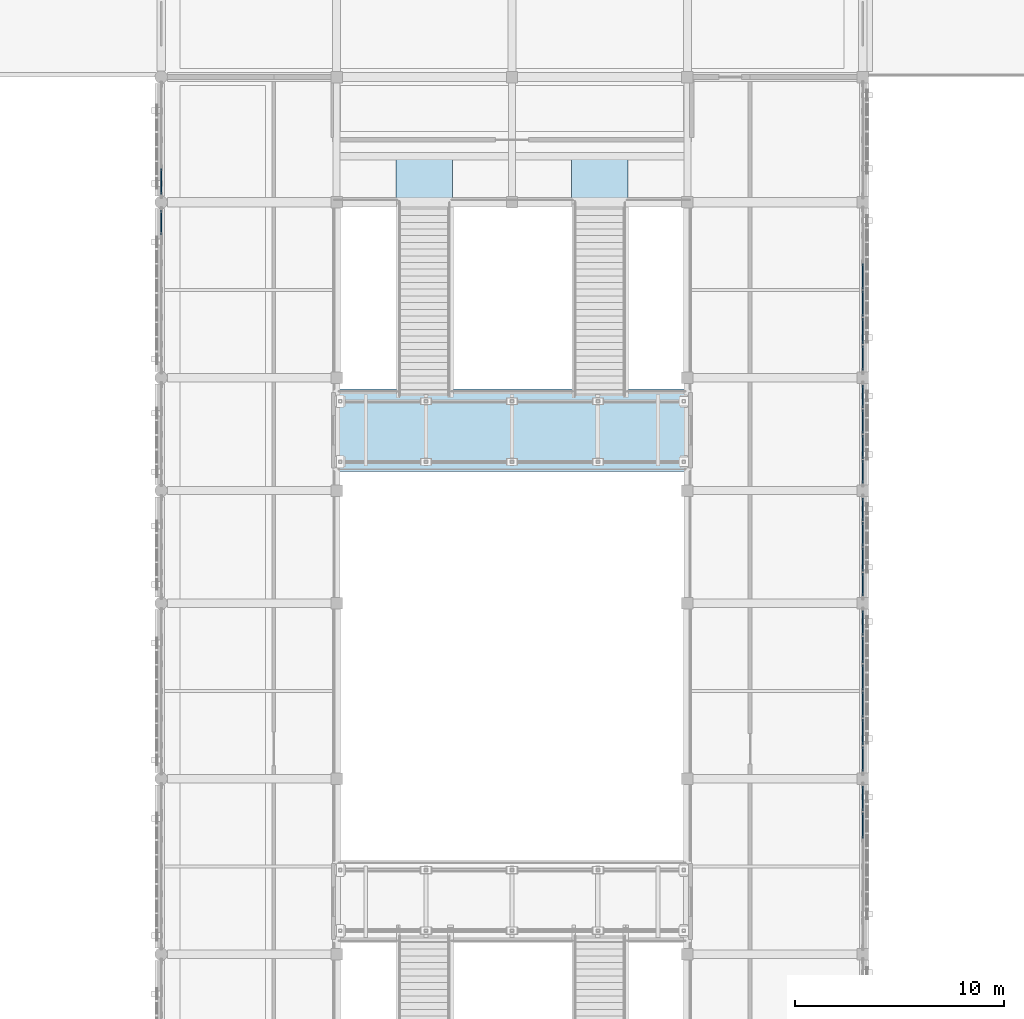
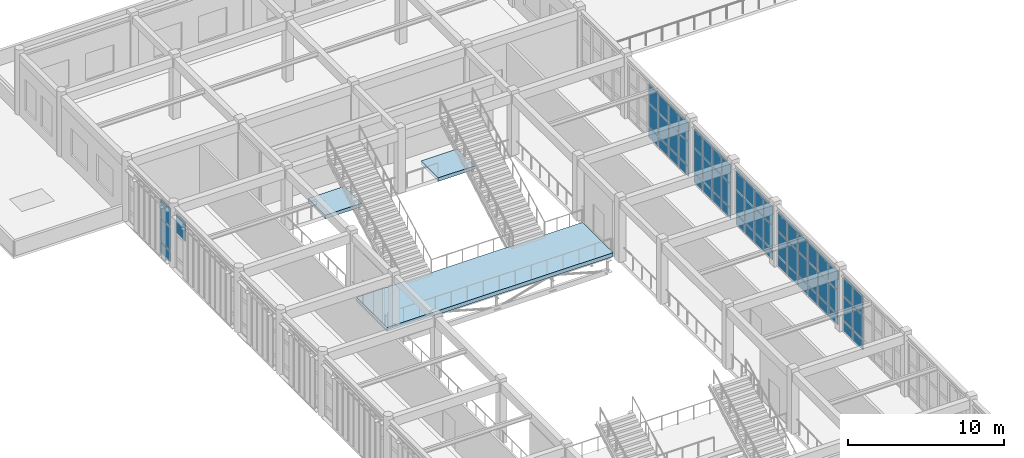
# One storey, part 60 of 93: 64 plates, 3 slabs, 7 elements without a shape of their own.
"""IFC4 building model written with IfcOpenShell, lengths in metres."""

from ifc_helpers import new_model, si_unit, direction, frame, origin, origin_2d, place, context, subcontext, project, spatial, polyline, rectangle, outline, extrude, material, layer, layer_set, type_object, element, aggregate, save


model = new_model("IFC4")

# Units and contexts
model_context = context("Model", 3, precision=1e-05, world=origin(), true_north=direction((0.0, 1.0)))
body_context = subcontext(model_context, "Body", "Model", "MODEL_VIEW")
ifc_project = project(units=[si_unit("LENGTHUNIT", "METRE"), si_unit("AREAUNIT", "SQUARE_METRE"), si_unit("VOLUMEUNIT", "CUBIC_METRE"), si_unit("PLANEANGLEUNIT", "RADIAN"), si_unit("MASSUNIT", "GRAM", prefix="KILO")], contexts=[model_context])

# Site, building, storey
site_placement = place(None, origin())
site = spatial("IfcSite", under=ifc_project, at=site_placement, CompositionType="ELEMENT")
building_placement = place(site_placement, origin())
building = spatial("IfcBuilding", under=site, at=building_placement, Name="Krzemoval Escarpment Law Courts", CompositionType="ELEMENT")
storey_placement = place(building_placement, frame((0.0, 0.0, 10.199951171875)))
storey = spatial("IfcBuildingStorey", under=building, at=storey_placement, Name="L02", CompositionType="ELEMENT", Elevation=10.199951171875)

# Curtain wall, plate
ifc_material_1 = material(Name="Aluminium 6063-T6", Category="aluminium")
ifc_layer_1 = layer(ifc_material_1, 0.280029296875)
ifc_layer_set_1 = layer_set([ifc_layer_1], Name="Aluminium 6063-T6")
curtain_wall_type = type_object("IfcCurtainWallType", Name="CW-HALL-5100", PredefinedType="USERDEFINED", material=ifc_layer_set_1)
curtain_wall_1_placement = place(storey_placement, origin())
curtain_wall_1 = element("IfcCurtainWall", 1, at=curtain_wall_1_placement, inside=storey, type_object=curtain_wall_type, Name="Unitised Curtain Wall FCW-L02-071", ObjectType="UNITISED_CURTAIN_WALL", PredefinedType="USERDEFINED")
ifc_material_2 = material(Name="Triple Glazing IGU", Category="glass")
ifc_layer_2 = layer(ifc_material_2, 0.053955078125)
ifc_layer_set_2 = layer_set([ifc_layer_2], Name="Triple Glazing IGU")
plate_type = type_object("IfcPlateType", Name="CWP-GLZ-54", PredefinedType="CURTAIN_PANEL", material=ifc_layer_set_2)
plate_1_placement = place(storey_placement, frame((8.39990234375, 92.628662109375, 2.842529296875), z_axis=(0.0, 0.0, 1.0), x_axis=(0.0, 1.0, 0.0)))
plate_1 = element("IfcPlate", 2, at=plate_1_placement, type_object=plate_type, Name="FCW-L02-071 panel 6.3", PredefinedType="CURTAIN_PANEL", context=body_context, shape_type="SweptSolid", body=[
    extrude(rectangle(XDim=1.172607421875, YDim=0.053955078125, at=origin_2d()), origin(), (0.0, 0.0, 1.0), 1.4423828125),
])
aggregate(curtain_wall_1, [plate_1])

# Curtain wall, plates
curtain_wall_2_placement = place(storey_placement, origin())
curtain_wall_2 = element("IfcCurtainWall", 3, at=curtain_wall_2_placement, inside=storey, type_object=curtain_wall_type, Name="Unitised Curtain Wall FCW-L02-072", ObjectType="UNITISED_CURTAIN_WALL", PredefinedType="USERDEFINED")
plate_2_placement = place(storey_placement, frame((8.39990234375, 94.59619140625, 0.0849609375), z_axis=(0.0, 0.0, 1.0), x_axis=(0.0, 1.0, 0.0)))
plate_2 = element("IfcPlate", 4, at=plate_2_placement, type_object=plate_type, Name="FCW-L02-072 panel 1.1", PredefinedType="CURTAIN_PANEL", context=body_context, shape_type="SweptSolid", body=[
    extrude(rectangle(XDim=1.222412109375, YDim=0.053955078125, at=origin_2d()), origin(), (0.0, 0.0, 1.0), 0.7724609375),
])
plate_3_placement = place(storey_placement, frame((8.39990234375, 94.59619140625, 0.942626953125), z_axis=(0.0, 0.0, 1.0), x_axis=(0.0, 1.0, 0.0)))
plate_3 = element("IfcPlate", 5, at=plate_3_placement, type_object=plate_type, Name="FCW-L02-072 panel 1.2", PredefinedType="CURTAIN_PANEL", context=body_context, shape_type="SweptSolid", body=[
    extrude(rectangle(XDim=1.222412109375, YDim=0.053955078125, at=origin_2d()), origin(), (0.0, 0.0, 1.0), 1.81494140625),
])
plate_4_placement = place(storey_placement, frame((8.39990234375, 94.59619140625, 2.842529296875), z_axis=(0.0, 0.0, 1.0), x_axis=(0.0, 1.0, 0.0)))
plate_4 = element("IfcPlate", 6, at=plate_4_placement, type_object=plate_type, Name="FCW-L02-072 panel 1.3", PredefinedType="CURTAIN_PANEL", context=body_context, shape_type="SweptSolid", body=[
    extrude(rectangle(XDim=1.222412109375, YDim=0.053955078125, at=origin_2d()), origin(), (0.0, 0.0, 1.0), 1.4423828125),
])
aggregate(curtain_wall_2, [plate_2, plate_3, plate_4])

curtain_wall_3_placement = place(storey_placement, origin())
curtain_wall_3 = element("IfcCurtainWall", 7, at=curtain_wall_3_placement, inside=storey, type_object=curtain_wall_type, Name="Unitised Curtain Wall FCW-L02-074", ObjectType="UNITISED_CURTAIN_WALL", PredefinedType="USERDEFINED")
plate_5_placement = place(storey_placement, frame((42.0, 90.05419921875, 0.0849609375), z_axis=(0.0, 0.0, 1.0), x_axis=(0.0, -1.0, 0.0)))
plate_5 = element("IfcPlate", 8, at=plate_5_placement, type_object=plate_type, Name="FCW-L02-074 panel 3.1", PredefinedType="CURTAIN_PANEL", context=body_context, shape_type="SweptSolid", body=[
    extrude(rectangle(XDim=1.223388671875, YDim=0.053955078125, at=origin_2d()), origin(), (0.0, 0.0, 1.0), 0.7724609375),
])
plate_6_placement = place(storey_placement, frame((42.0, 90.05419921875, 0.942626953125), z_axis=(0.0, 0.0, 1.0), x_axis=(0.0, -1.0, 0.0)))
plate_6 = element("IfcPlate", 9, at=plate_6_placement, type_object=plate_type, Name="FCW-L02-074 panel 3.2", PredefinedType="CURTAIN_PANEL", context=body_context, shape_type="SweptSolid", body=[
    extrude(rectangle(XDim=1.223388671875, YDim=0.053955078125, at=origin_2d()), origin(), (0.0, 0.0, 1.0), 1.81494140625),
])
plate_7_placement = place(storey_placement, frame((42.0, 90.05419921875, 2.842529296875), z_axis=(0.0, 0.0, 1.0), x_axis=(0.0, -1.0, 0.0)))
plate_7 = element("IfcPlate", 10, at=plate_7_placement, type_object=plate_type, Name="FCW-L02-074 panel 3.3", PredefinedType="CURTAIN_PANEL", context=body_context, shape_type="SweptSolid", body=[
    extrude(rectangle(XDim=1.223388671875, YDim=0.053955078125, at=origin_2d()), origin(), (0.0, 0.0, 1.0), 1.4423828125),
])
plate_8_placement = place(storey_placement, frame((42.0, 88.745849609375, 0.0849609375), z_axis=(0.0, 0.0, 1.0), x_axis=(0.0, -1.0, 0.0)))
plate_8 = element("IfcPlate", 11, at=plate_8_placement, type_object=plate_type, Name="FCW-L02-074 panel 4.1", PredefinedType="CURTAIN_PANEL", context=body_context, shape_type="SweptSolid", body=[
    extrude(rectangle(XDim=1.223388671875, YDim=0.053955078125, at=origin_2d()), origin(), (0.0, 0.0, 1.0), 0.7724609375),
])
plate_9_placement = place(storey_placement, frame((42.0, 88.745849609375, 0.942626953125), z_axis=(0.0, 0.0, 1.0), x_axis=(0.0, -1.0, 0.0)))
plate_9 = element("IfcPlate", 12, at=plate_9_placement, type_object=plate_type, Name="FCW-L02-074 panel 4.2", PredefinedType="CURTAIN_PANEL", context=body_context, shape_type="SweptSolid", body=[
    extrude(rectangle(XDim=1.223388671875, YDim=0.053955078125, at=origin_2d()), origin(), (0.0, 0.0, 1.0), 1.81494140625),
])
plate_10_placement = place(storey_placement, frame((42.0, 88.745849609375, 2.842529296875), z_axis=(0.0, 0.0, 1.0), x_axis=(0.0, -1.0, 0.0)))
plate_10 = element("IfcPlate", 13, at=plate_10_placement, type_object=plate_type, Name="FCW-L02-074 panel 4.3", PredefinedType="CURTAIN_PANEL", context=body_context, shape_type="SweptSolid", body=[
    extrude(rectangle(XDim=1.223388671875, YDim=0.053955078125, at=origin_2d()), origin(), (0.0, 0.0, 1.0), 1.4423828125),
])
plate_11_placement = place(storey_placement, frame((42.0, 87.4375, 0.0849609375), z_axis=(0.0, 0.0, 1.0), x_axis=(0.0, -1.0, 0.0)))
plate_11 = element("IfcPlate", 14, at=plate_11_placement, type_object=plate_type, Name="FCW-L02-074 panel 5.1", PredefinedType="CURTAIN_PANEL", context=body_context, shape_type="SweptSolid", body=[
    extrude(rectangle(XDim=1.223388671875, YDim=0.053955078125, at=origin_2d()), origin(), (0.0, 0.0, 1.0), 0.7724609375),
])
plate_12_placement = place(storey_placement, frame((42.0, 87.4375, 0.942626953125), z_axis=(0.0, 0.0, 1.0), x_axis=(0.0, -1.0, 0.0)))
plate_12 = element("IfcPlate", 15, at=plate_12_placement, type_object=plate_type, Name="FCW-L02-074 panel 5.2", PredefinedType="CURTAIN_PANEL", context=body_context, shape_type="SweptSolid", body=[
    extrude(rectangle(XDim=1.223388671875, YDim=0.053955078125, at=origin_2d()), origin(), (0.0, 0.0, 1.0), 1.81494140625),
])
plate_13_placement = place(storey_placement, frame((42.0, 87.4375, 2.842529296875), z_axis=(0.0, 0.0, 1.0), x_axis=(0.0, -1.0, 0.0)))
plate_13 = element("IfcPlate", 16, at=plate_13_placement, type_object=plate_type, Name="FCW-L02-074 panel 5.3", PredefinedType="CURTAIN_PANEL", context=body_context, shape_type="SweptSolid", body=[
    extrude(rectangle(XDim=1.223388671875, YDim=0.053955078125, at=origin_2d()), origin(), (0.0, 0.0, 1.0), 1.4423828125),
])
plate_14_placement = place(storey_placement, frame((42.0, 86.150390625, 0.0849609375), z_axis=(0.0, 0.0, 1.0), x_axis=(0.0, -1.0, 0.0)))
plate_14 = element("IfcPlate", 17, at=plate_14_placement, type_object=plate_type, Name="FCW-L02-074 panel 6.1", PredefinedType="CURTAIN_PANEL", context=body_context, shape_type="SweptSolid", body=[
    extrude(rectangle(XDim=1.180908203125, YDim=0.053955078125, at=origin_2d()), origin(), (0.0, 0.0, 1.0), 0.7724609375),
])
plate_15_placement = place(storey_placement, frame((42.0, 86.150390625, 0.942626953125), z_axis=(0.0, 0.0, 1.0), x_axis=(0.0, -1.0, 0.0)))
plate_15 = element("IfcPlate", 18, at=plate_15_placement, type_object=plate_type, Name="FCW-L02-074 panel 6.2", PredefinedType="CURTAIN_PANEL", context=body_context, shape_type="SweptSolid", body=[
    extrude(rectangle(XDim=1.180908203125, YDim=0.053955078125, at=origin_2d()), origin(), (0.0, 0.0, 1.0), 1.81494140625),
])
plate_16_placement = place(storey_placement, frame((42.0, 86.150390625, 2.842529296875), z_axis=(0.0, 0.0, 1.0), x_axis=(0.0, -1.0, 0.0)))
plate_16 = element("IfcPlate", 19, at=plate_16_placement, type_object=plate_type, Name="FCW-L02-074 panel 6.3", PredefinedType="CURTAIN_PANEL", context=body_context, shape_type="SweptSolid", body=[
    extrude(rectangle(XDim=1.180908203125, YDim=0.053955078125, at=origin_2d()), origin(), (0.0, 0.0, 1.0), 1.4423828125),
])
aggregate(curtain_wall_3, [plate_5, plate_6, plate_7, plate_8, plate_9, plate_10, plate_11, plate_12, plate_13, plate_14, plate_15, plate_16])

curtain_wall_4_placement = place(storey_placement, origin())
curtain_wall_4 = element("IfcCurtainWall", 20, at=curtain_wall_4_placement, inside=storey, type_object=curtain_wall_type, Name="Unitised Curtain Wall FCW-L02-075", ObjectType="UNITISED_CURTAIN_WALL", PredefinedType="USERDEFINED")
plate_17_placement = place(storey_placement, frame((42.0, 84.297607421875, 0.0849609375), z_axis=(0.0, 0.0, 1.0), x_axis=(0.0, -1.0, 0.0)))
plate_17 = element("IfcPlate", 21, at=plate_17_placement, type_object=plate_type, Name="FCW-L02-075 panel 1.1", PredefinedType="CURTAIN_PANEL", context=body_context, shape_type="SweptSolid", body=[
    extrude(rectangle(XDim=1.0849609375, YDim=0.053955078125, at=origin_2d()), origin(), (0.0, 0.0, 1.0), 0.7724609375),
])
plate_18_placement = place(storey_placement, frame((42.0, 84.297607421875, 0.942626953125), z_axis=(0.0, 0.0, 1.0), x_axis=(0.0, -1.0, 0.0)))
plate_18 = element("IfcPlate", 22, at=plate_18_placement, type_object=plate_type, Name="FCW-L02-075 panel 1.2", PredefinedType="CURTAIN_PANEL", context=body_context, shape_type="SweptSolid", body=[
    extrude(rectangle(XDim=1.0849609375, YDim=0.053955078125, at=origin_2d()), origin(), (0.0, 0.0, 1.0), 1.81494140625),
])
plate_19_placement = place(storey_placement, frame((42.0, 84.297607421875, 2.842529296875), z_axis=(0.0, 0.0, 1.0), x_axis=(0.0, -1.0, 0.0)))
plate_19 = element("IfcPlate", 23, at=plate_19_placement, type_object=plate_type, Name="FCW-L02-075 panel 1.3", PredefinedType="CURTAIN_PANEL", context=body_context, shape_type="SweptSolid", body=[
    extrude(rectangle(XDim=1.0849609375, YDim=0.053955078125, at=origin_2d()), origin(), (0.0, 0.0, 1.0), 1.4423828125),
])
plate_20_placement = place(storey_placement, frame((42.0, 83.106201171875, 0.0849609375), z_axis=(0.0, 0.0, 1.0), x_axis=(0.0, -1.0, 0.0)))
plate_20 = element("IfcPlate", 24, at=plate_20_placement, type_object=plate_type, Name="FCW-L02-075 panel 2.1", PredefinedType="CURTAIN_PANEL", context=body_context, shape_type="SweptSolid", body=[
    extrude(rectangle(XDim=1.12744140625, YDim=0.053955078125, at=origin_2d()), origin(), (0.0, 0.0, 1.0), 0.7724609375),
])
plate_21_placement = place(storey_placement, frame((42.0, 83.106201171875, 0.942626953125), z_axis=(0.0, 0.0, 1.0), x_axis=(0.0, -1.0, 0.0)))
plate_21 = element("IfcPlate", 25, at=plate_21_placement, type_object=plate_type, Name="FCW-L02-075 panel 2.2", PredefinedType="CURTAIN_PANEL", context=body_context, shape_type="SweptSolid", body=[
    extrude(rectangle(XDim=1.12744140625, YDim=0.053955078125, at=origin_2d()), origin(), (0.0, 0.0, 1.0), 1.81494140625),
])
plate_22_placement = place(storey_placement, frame((42.0, 83.106201171875, 2.842529296875), z_axis=(0.0, 0.0, 1.0), x_axis=(0.0, -1.0, 0.0)))
plate_22 = element("IfcPlate", 26, at=plate_22_placement, type_object=plate_type, Name="FCW-L02-075 panel 2.3", PredefinedType="CURTAIN_PANEL", context=body_context, shape_type="SweptSolid", body=[
    extrude(rectangle(XDim=1.12744140625, YDim=0.053955078125, at=origin_2d()), origin(), (0.0, 0.0, 1.0), 1.4423828125),
])
plate_23_placement = place(storey_placement, frame((42.0, 81.893798828125, 0.0849609375), z_axis=(0.0, 0.0, 1.0), x_axis=(0.0, -1.0, 0.0)))
plate_23 = element("IfcPlate", 27, at=plate_23_placement, type_object=plate_type, Name="FCW-L02-075 panel 3.1", PredefinedType="CURTAIN_PANEL", context=body_context, shape_type="SweptSolid", body=[
    extrude(rectangle(XDim=1.12744140625, YDim=0.053955078125, at=origin_2d()), origin(), (0.0, 0.0, 1.0), 0.7724609375),
])
plate_24_placement = place(storey_placement, frame((42.0, 81.893798828125, 0.942626953125), z_axis=(0.0, 0.0, 1.0), x_axis=(0.0, -1.0, 0.0)))
plate_24 = element("IfcPlate", 28, at=plate_24_placement, type_object=plate_type, Name="FCW-L02-075 panel 3.2", PredefinedType="CURTAIN_PANEL", context=body_context, shape_type="SweptSolid", body=[
    extrude(rectangle(XDim=1.12744140625, YDim=0.053955078125, at=origin_2d()), origin(), (0.0, 0.0, 1.0), 1.81494140625),
])
plate_25_placement = place(storey_placement, frame((42.0, 81.893798828125, 2.842529296875), z_axis=(0.0, 0.0, 1.0), x_axis=(0.0, -1.0, 0.0)))
plate_25 = element("IfcPlate", 29, at=plate_25_placement, type_object=plate_type, Name="FCW-L02-075 panel 3.3", PredefinedType="CURTAIN_PANEL", context=body_context, shape_type="SweptSolid", body=[
    extrude(rectangle(XDim=1.12744140625, YDim=0.053955078125, at=origin_2d()), origin(), (0.0, 0.0, 1.0), 1.4423828125),
])
plate_26_placement = place(storey_placement, frame((42.0, 80.702392578125, 0.0849609375), z_axis=(0.0, 0.0, 1.0), x_axis=(0.0, -1.0, 0.0)))
plate_26 = element("IfcPlate", 30, at=plate_26_placement, type_object=plate_type, Name="FCW-L02-075 panel 4.1", PredefinedType="CURTAIN_PANEL", context=body_context, shape_type="SweptSolid", body=[
    extrude(rectangle(XDim=1.0849609375, YDim=0.053955078125, at=origin_2d()), origin(), (0.0, 0.0, 1.0), 0.7724609375),
])
plate_27_placement = place(storey_placement, frame((42.0, 80.702392578125, 0.942626953125), z_axis=(0.0, 0.0, 1.0), x_axis=(0.0, -1.0, 0.0)))
plate_27 = element("IfcPlate", 31, at=plate_27_placement, type_object=plate_type, Name="FCW-L02-075 panel 4.2", PredefinedType="CURTAIN_PANEL", context=body_context, shape_type="SweptSolid", body=[
    extrude(rectangle(XDim=1.0849609375, YDim=0.053955078125, at=origin_2d()), origin(), (0.0, 0.0, 1.0), 1.81494140625),
])
plate_28_placement = place(storey_placement, frame((42.0, 80.702392578125, 2.842529296875), z_axis=(0.0, 0.0, 1.0), x_axis=(0.0, -1.0, 0.0)))
plate_28 = element("IfcPlate", 32, at=plate_28_placement, type_object=plate_type, Name="FCW-L02-075 panel 4.3", PredefinedType="CURTAIN_PANEL", context=body_context, shape_type="SweptSolid", body=[
    extrude(rectangle(XDim=1.0849609375, YDim=0.053955078125, at=origin_2d()), origin(), (0.0, 0.0, 1.0), 1.4423828125),
])
aggregate(curtain_wall_4, [plate_17, plate_18, plate_19, plate_20, plate_21, plate_22, plate_23, plate_24, plate_25, plate_26, plate_27, plate_28])

curtain_wall_5_placement = place(storey_placement, origin())
curtain_wall_5 = element("IfcCurtainWall", 33, at=curtain_wall_5_placement, inside=storey, type_object=curtain_wall_type, Name="Unitised Curtain Wall FCW-L02-076", ObjectType="UNITISED_CURTAIN_WALL", PredefinedType="USERDEFINED")
plate_29_placement = place(storey_placement, frame((42.0, 78.8974609375, 0.0849609375), z_axis=(0.0, 0.0, 1.0), x_axis=(0.0, -1.0, 0.0)))
plate_29 = element("IfcPlate", 34, at=plate_29_placement, type_object=plate_type, Name="FCW-L02-076 panel 1.1", PredefinedType="CURTAIN_PANEL", context=body_context, shape_type="SweptSolid", body=[
    extrude(rectangle(XDim=1.0849609375, YDim=0.053955078125, at=origin_2d()), origin(), (0.0, 0.0, 1.0), 0.7724609375),
])
plate_30_placement = place(storey_placement, frame((42.0, 78.8974609375, 0.942626953125), z_axis=(0.0, 0.0, 1.0), x_axis=(0.0, -1.0, 0.0)))
plate_30 = element("IfcPlate", 35, at=plate_30_placement, type_object=plate_type, Name="FCW-L02-076 panel 1.2", PredefinedType="CURTAIN_PANEL", context=body_context, shape_type="SweptSolid", body=[
    extrude(rectangle(XDim=1.0849609375, YDim=0.053955078125, at=origin_2d()), origin(), (0.0, 0.0, 1.0), 1.81494140625),
])
plate_31_placement = place(storey_placement, frame((42.0, 78.8974609375, 2.842529296875), z_axis=(0.0, 0.0, 1.0), x_axis=(0.0, -1.0, 0.0)))
plate_31 = element("IfcPlate", 36, at=plate_31_placement, type_object=plate_type, Name="FCW-L02-076 panel 1.3", PredefinedType="CURTAIN_PANEL", context=body_context, shape_type="SweptSolid", body=[
    extrude(rectangle(XDim=1.0849609375, YDim=0.053955078125, at=origin_2d()), origin(), (0.0, 0.0, 1.0), 1.4423828125),
])
plate_32_placement = place(storey_placement, frame((42.0, 77.706298828125, 0.0849609375), z_axis=(0.0, 0.0, 1.0), x_axis=(0.0, -1.0, 0.0)))
plate_32 = element("IfcPlate", 37, at=plate_32_placement, type_object=plate_type, Name="FCW-L02-076 panel 2.1", PredefinedType="CURTAIN_PANEL", context=body_context, shape_type="SweptSolid", body=[
    extrude(rectangle(XDim=1.12744140625, YDim=0.053955078125, at=origin_2d()), origin(), (0.0, 0.0, 1.0), 0.7724609375),
])
plate_33_placement = place(storey_placement, frame((42.0, 77.706298828125, 0.942626953125), z_axis=(0.0, 0.0, 1.0), x_axis=(0.0, -1.0, 0.0)))
plate_33 = element("IfcPlate", 38, at=plate_33_placement, type_object=plate_type, Name="FCW-L02-076 panel 2.2", PredefinedType="CURTAIN_PANEL", context=body_context, shape_type="SweptSolid", body=[
    extrude(rectangle(XDim=1.12744140625, YDim=0.053955078125, at=origin_2d()), origin(), (0.0, 0.0, 1.0), 1.81494140625),
])
plate_34_placement = place(storey_placement, frame((42.0, 77.706298828125, 2.842529296875), z_axis=(0.0, 0.0, 1.0), x_axis=(0.0, -1.0, 0.0)))
plate_34 = element("IfcPlate", 39, at=plate_34_placement, type_object=plate_type, Name="FCW-L02-076 panel 2.3", PredefinedType="CURTAIN_PANEL", context=body_context, shape_type="SweptSolid", body=[
    extrude(rectangle(XDim=1.12744140625, YDim=0.053955078125, at=origin_2d()), origin(), (0.0, 0.0, 1.0), 1.4423828125),
])
plate_35_placement = place(storey_placement, frame((42.0, 76.49365234375, 0.0849609375), z_axis=(0.0, 0.0, 1.0), x_axis=(0.0, -1.0, 0.0)))
plate_35 = element("IfcPlate", 40, at=plate_35_placement, type_object=plate_type, Name="FCW-L02-076 panel 3.1", PredefinedType="CURTAIN_PANEL", context=body_context, shape_type="SweptSolid", body=[
    extrude(rectangle(XDim=1.12744140625, YDim=0.053955078125, at=origin_2d()), origin(), (0.0, 0.0, 1.0), 0.7724609375),
])
plate_36_placement = place(storey_placement, frame((42.0, 76.49365234375, 0.942626953125), z_axis=(0.0, 0.0, 1.0), x_axis=(0.0, -1.0, 0.0)))
plate_36 = element("IfcPlate", 41, at=plate_36_placement, type_object=plate_type, Name="FCW-L02-076 panel 3.2", PredefinedType="CURTAIN_PANEL", context=body_context, shape_type="SweptSolid", body=[
    extrude(rectangle(XDim=1.12744140625, YDim=0.053955078125, at=origin_2d()), origin(), (0.0, 0.0, 1.0), 1.81494140625),
])
plate_37_placement = place(storey_placement, frame((42.0, 76.49365234375, 2.842529296875), z_axis=(0.0, 0.0, 1.0), x_axis=(0.0, -1.0, 0.0)))
plate_37 = element("IfcPlate", 42, at=plate_37_placement, type_object=plate_type, Name="FCW-L02-076 panel 3.3", PredefinedType="CURTAIN_PANEL", context=body_context, shape_type="SweptSolid", body=[
    extrude(rectangle(XDim=1.12744140625, YDim=0.053955078125, at=origin_2d()), origin(), (0.0, 0.0, 1.0), 1.4423828125),
])
plate_38_placement = place(storey_placement, frame((42.0, 75.302490234375, 0.0849609375), z_axis=(0.0, 0.0, 1.0), x_axis=(0.0, -1.0, 0.0)))
plate_38 = element("IfcPlate", 43, at=plate_38_placement, type_object=plate_type, Name="FCW-L02-076 panel 4.1", PredefinedType="CURTAIN_PANEL", context=body_context, shape_type="SweptSolid", body=[
    extrude(rectangle(XDim=1.0849609375, YDim=0.053955078125, at=origin_2d()), origin(), (0.0, 0.0, 1.0), 0.7724609375),
])
plate_39_placement = place(storey_placement, frame((42.0, 75.302490234375, 0.942626953125), z_axis=(0.0, 0.0, 1.0), x_axis=(0.0, -1.0, 0.0)))
plate_39 = element("IfcPlate", 44, at=plate_39_placement, type_object=plate_type, Name="FCW-L02-076 panel 4.2", PredefinedType="CURTAIN_PANEL", context=body_context, shape_type="SweptSolid", body=[
    extrude(rectangle(XDim=1.0849609375, YDim=0.053955078125, at=origin_2d()), origin(), (0.0, 0.0, 1.0), 1.81494140625),
])
plate_40_placement = place(storey_placement, frame((42.0, 75.302490234375, 2.842529296875), z_axis=(0.0, 0.0, 1.0), x_axis=(0.0, -1.0, 0.0)))
plate_40 = element("IfcPlate", 45, at=plate_40_placement, type_object=plate_type, Name="FCW-L02-076 panel 4.3", PredefinedType="CURTAIN_PANEL", context=body_context, shape_type="SweptSolid", body=[
    extrude(rectangle(XDim=1.0849609375, YDim=0.053955078125, at=origin_2d()), origin(), (0.0, 0.0, 1.0), 1.4423828125),
])
aggregate(curtain_wall_5, [plate_29, plate_30, plate_31, plate_32, plate_33, plate_34, plate_35, plate_36, plate_37, plate_38, plate_39, plate_40])

curtain_wall_6_placement = place(storey_placement, origin())
curtain_wall_6 = element("IfcCurtainWall", 46, at=curtain_wall_6_placement, inside=storey, type_object=curtain_wall_type, Name="Unitised Curtain Wall FCW-L02-077", ObjectType="UNITISED_CURTAIN_WALL", PredefinedType="USERDEFINED")
plate_41_placement = place(storey_placement, frame((42.0, 73.449462890625, 0.0849609375), z_axis=(0.0, 0.0, 1.0), x_axis=(0.0, -1.0, 0.0)))
plate_41 = element("IfcPlate", 47, at=plate_41_placement, type_object=plate_type, Name="FCW-L02-077 panel 1.1", PredefinedType="CURTAIN_PANEL", context=body_context, shape_type="SweptSolid", body=[
    extrude(rectangle(XDim=1.180908203125, YDim=0.053955078125, at=origin_2d()), origin(), (0.0, 0.0, 1.0), 0.7724609375),
])
plate_42_placement = place(storey_placement, frame((42.0, 73.449462890625, 0.942626953125), z_axis=(0.0, 0.0, 1.0), x_axis=(0.0, -1.0, 0.0)))
plate_42 = element("IfcPlate", 48, at=plate_42_placement, type_object=plate_type, Name="FCW-L02-077 panel 1.2", PredefinedType="CURTAIN_PANEL", context=body_context, shape_type="SweptSolid", body=[
    extrude(rectangle(XDim=1.180908203125, YDim=0.053955078125, at=origin_2d()), origin(), (0.0, 0.0, 1.0), 1.81494140625),
])
plate_43_placement = place(storey_placement, frame((42.0, 73.449462890625, 2.842529296875), z_axis=(0.0, 0.0, 1.0), x_axis=(0.0, -1.0, 0.0)))
plate_43 = element("IfcPlate", 49, at=plate_43_placement, type_object=plate_type, Name="FCW-L02-077 panel 1.3", PredefinedType="CURTAIN_PANEL", context=body_context, shape_type="SweptSolid", body=[
    extrude(rectangle(XDim=1.180908203125, YDim=0.053955078125, at=origin_2d()), origin(), (0.0, 0.0, 1.0), 1.4423828125),
])
plate_44_placement = place(storey_placement, frame((42.0, 72.16259765625, 0.0849609375), z_axis=(0.0, 0.0, 1.0), x_axis=(0.0, -1.0, 0.0)))
plate_44 = element("IfcPlate", 50, at=plate_44_placement, type_object=plate_type, Name="FCW-L02-077 panel 2.1", PredefinedType="CURTAIN_PANEL", context=body_context, shape_type="SweptSolid", body=[
    extrude(rectangle(XDim=1.223388671875, YDim=0.053955078125, at=origin_2d()), origin(), (0.0, 0.0, 1.0), 0.7724609375),
])
plate_45_placement = place(storey_placement, frame((42.0, 72.16259765625, 0.942626953125), z_axis=(0.0, 0.0, 1.0), x_axis=(0.0, -1.0, 0.0)))
plate_45 = element("IfcPlate", 51, at=plate_45_placement, type_object=plate_type, Name="FCW-L02-077 panel 2.2", PredefinedType="CURTAIN_PANEL", context=body_context, shape_type="SweptSolid", body=[
    extrude(rectangle(XDim=1.223388671875, YDim=0.053955078125, at=origin_2d()), origin(), (0.0, 0.0, 1.0), 1.81494140625),
])
plate_46_placement = place(storey_placement, frame((42.0, 72.16259765625, 2.842529296875), z_axis=(0.0, 0.0, 1.0), x_axis=(0.0, -1.0, 0.0)))
plate_46 = element("IfcPlate", 52, at=plate_46_placement, type_object=plate_type, Name="FCW-L02-077 panel 2.3", PredefinedType="CURTAIN_PANEL", context=body_context, shape_type="SweptSolid", body=[
    extrude(rectangle(XDim=1.223388671875, YDim=0.053955078125, at=origin_2d()), origin(), (0.0, 0.0, 1.0), 1.4423828125),
])
plate_47_placement = place(storey_placement, frame((42.0, 70.854248046875, 0.0849609375), z_axis=(0.0, 0.0, 1.0), x_axis=(0.0, -1.0, 0.0)))
plate_47 = element("IfcPlate", 53, at=plate_47_placement, type_object=plate_type, Name="FCW-L02-077 panel 3.1", PredefinedType="CURTAIN_PANEL", context=body_context, shape_type="SweptSolid", body=[
    extrude(rectangle(XDim=1.223388671875, YDim=0.053955078125, at=origin_2d()), origin(), (0.0, 0.0, 1.0), 0.7724609375),
])
plate_48_placement = place(storey_placement, frame((42.0, 70.854248046875, 0.942626953125), z_axis=(0.0, 0.0, 1.0), x_axis=(0.0, -1.0, 0.0)))
plate_48 = element("IfcPlate", 54, at=plate_48_placement, type_object=plate_type, Name="FCW-L02-077 panel 3.2", PredefinedType="CURTAIN_PANEL", context=body_context, shape_type="SweptSolid", body=[
    extrude(rectangle(XDim=1.223388671875, YDim=0.053955078125, at=origin_2d()), origin(), (0.0, 0.0, 1.0), 1.81494140625),
])
plate_49_placement = place(storey_placement, frame((42.0, 70.854248046875, 2.842529296875), z_axis=(0.0, 0.0, 1.0), x_axis=(0.0, -1.0, 0.0)))
plate_49 = element("IfcPlate", 55, at=plate_49_placement, type_object=plate_type, Name="FCW-L02-077 panel 3.3", PredefinedType="CURTAIN_PANEL", context=body_context, shape_type="SweptSolid", body=[
    extrude(rectangle(XDim=1.223388671875, YDim=0.053955078125, at=origin_2d()), origin(), (0.0, 0.0, 1.0), 1.4423828125),
])
plate_50_placement = place(storey_placement, frame((42.0, 69.5458984375, 0.0849609375), z_axis=(0.0, 0.0, 1.0), x_axis=(0.0, -1.0, 0.0)))
plate_50 = element("IfcPlate", 56, at=plate_50_placement, type_object=plate_type, Name="FCW-L02-077 panel 4.1", PredefinedType="CURTAIN_PANEL", context=body_context, shape_type="SweptSolid", body=[
    extrude(rectangle(XDim=1.223388671875, YDim=0.053955078125, at=origin_2d()), origin(), (0.0, 0.0, 1.0), 0.7724609375),
])
plate_51_placement = place(storey_placement, frame((42.0, 69.5458984375, 0.942626953125), z_axis=(0.0, 0.0, 1.0), x_axis=(0.0, -1.0, 0.0)))
plate_51 = element("IfcPlate", 57, at=plate_51_placement, type_object=plate_type, Name="FCW-L02-077 panel 4.2", PredefinedType="CURTAIN_PANEL", context=body_context, shape_type="SweptSolid", body=[
    extrude(rectangle(XDim=1.223388671875, YDim=0.053955078125, at=origin_2d()), origin(), (0.0, 0.0, 1.0), 1.81494140625),
])
plate_52_placement = place(storey_placement, frame((42.0, 69.5458984375, 2.842529296875), z_axis=(0.0, 0.0, 1.0), x_axis=(0.0, -1.0, 0.0)))
plate_52 = element("IfcPlate", 58, at=plate_52_placement, type_object=plate_type, Name="FCW-L02-077 panel 4.3", PredefinedType="CURTAIN_PANEL", context=body_context, shape_type="SweptSolid", body=[
    extrude(rectangle(XDim=1.223388671875, YDim=0.053955078125, at=origin_2d()), origin(), (0.0, 0.0, 1.0), 1.4423828125),
])
plate_53_placement = place(storey_placement, frame((42.0, 68.237548828125, 0.0849609375), z_axis=(0.0, 0.0, 1.0), x_axis=(0.0, -1.0, 0.0)))
plate_53 = element("IfcPlate", 59, at=plate_53_placement, type_object=plate_type, Name="FCW-L02-077 panel 5.1", PredefinedType="CURTAIN_PANEL", context=body_context, shape_type="SweptSolid", body=[
    extrude(rectangle(XDim=1.223388671875, YDim=0.053955078125, at=origin_2d()), origin(), (0.0, 0.0, 1.0), 0.7724609375),
])
plate_54_placement = place(storey_placement, frame((42.0, 68.237548828125, 0.942626953125), z_axis=(0.0, 0.0, 1.0), x_axis=(0.0, -1.0, 0.0)))
plate_54 = element("IfcPlate", 60, at=plate_54_placement, type_object=plate_type, Name="FCW-L02-077 panel 5.2", PredefinedType="CURTAIN_PANEL", context=body_context, shape_type="SweptSolid", body=[
    extrude(rectangle(XDim=1.223388671875, YDim=0.053955078125, at=origin_2d()), origin(), (0.0, 0.0, 1.0), 1.81494140625),
])
plate_55_placement = place(storey_placement, frame((42.0, 68.237548828125, 2.842529296875), z_axis=(0.0, 0.0, 1.0), x_axis=(0.0, -1.0, 0.0)))
plate_55 = element("IfcPlate", 61, at=plate_55_placement, type_object=plate_type, Name="FCW-L02-077 panel 5.3", PredefinedType="CURTAIN_PANEL", context=body_context, shape_type="SweptSolid", body=[
    extrude(rectangle(XDim=1.223388671875, YDim=0.053955078125, at=origin_2d()), origin(), (0.0, 0.0, 1.0), 1.4423828125),
])
plate_56_placement = place(storey_placement, frame((42.0, 66.950439453125, 0.0849609375), z_axis=(0.0, 0.0, 1.0), x_axis=(0.0, -1.0, 0.0)))
plate_56 = element("IfcPlate", 62, at=plate_56_placement, type_object=plate_type, Name="FCW-L02-077 panel 6.1", PredefinedType="CURTAIN_PANEL", context=body_context, shape_type="SweptSolid", body=[
    extrude(rectangle(XDim=1.180908203125, YDim=0.053955078125, at=origin_2d()), origin(), (0.0, 0.0, 1.0), 0.7724609375),
])
plate_57_placement = place(storey_placement, frame((42.0, 66.950439453125, 0.942626953125), z_axis=(0.0, 0.0, 1.0), x_axis=(0.0, -1.0, 0.0)))
plate_57 = element("IfcPlate", 63, at=plate_57_placement, type_object=plate_type, Name="FCW-L02-077 panel 6.2", PredefinedType="CURTAIN_PANEL", context=body_context, shape_type="SweptSolid", body=[
    extrude(rectangle(XDim=1.180908203125, YDim=0.053955078125, at=origin_2d()), origin(), (0.0, 0.0, 1.0), 1.81494140625),
])
plate_58_placement = place(storey_placement, frame((42.0, 66.950439453125, 2.842529296875), z_axis=(0.0, 0.0, 1.0), x_axis=(0.0, -1.0, 0.0)))
plate_58 = element("IfcPlate", 64, at=plate_58_placement, type_object=plate_type, Name="FCW-L02-077 panel 6.3", PredefinedType="CURTAIN_PANEL", context=body_context, shape_type="SweptSolid", body=[
    extrude(rectangle(XDim=1.180908203125, YDim=0.053955078125, at=origin_2d()), origin(), (0.0, 0.0, 1.0), 1.4423828125),
])
aggregate(curtain_wall_6, [plate_41, plate_42, plate_43, plate_44, plate_45, plate_46, plate_47, plate_48, plate_49, plate_50, plate_51, plate_52, plate_53, plate_54, plate_55, plate_56, plate_57, plate_58])

curtain_wall_7_placement = place(storey_placement, origin())
curtain_wall_7 = element("IfcCurtainWall", 65, at=curtain_wall_7_placement, inside=storey, type_object=curtain_wall_type, Name="Unitised Curtain Wall FCW-L02-078", ObjectType="UNITISED_CURTAIN_WALL", PredefinedType="USERDEFINED")
plate_59_placement = place(storey_placement, frame((42.0, 65.049560546875, 0.0849609375), z_axis=(0.0, 0.0, 1.0), x_axis=(0.0, -1.0, 0.0)))
plate_59 = element("IfcPlate", 66, at=plate_59_placement, type_object=plate_type, Name="FCW-L02-078 panel 1.1", PredefinedType="CURTAIN_PANEL", context=body_context, shape_type="SweptSolid", body=[
    extrude(rectangle(XDim=1.180908203125, YDim=0.053955078125, at=origin_2d()), origin(), (0.0, 0.0, 1.0), 0.7724609375),
])
plate_60_placement = place(storey_placement, frame((42.0, 65.049560546875, 0.942626953125), z_axis=(0.0, 0.0, 1.0), x_axis=(0.0, -1.0, 0.0)))
plate_60 = element("IfcPlate", 67, at=plate_60_placement, type_object=plate_type, Name="FCW-L02-078 panel 1.2", PredefinedType="CURTAIN_PANEL", context=body_context, shape_type="SweptSolid", body=[
    extrude(rectangle(XDim=1.180908203125, YDim=0.053955078125, at=origin_2d()), origin(), (0.0, 0.0, 1.0), 1.81494140625),
])
plate_61_placement = place(storey_placement, frame((42.0, 65.049560546875, 2.842529296875), z_axis=(0.0, 0.0, 1.0), x_axis=(0.0, -1.0, 0.0)))
plate_61 = element("IfcPlate", 68, at=plate_61_placement, type_object=plate_type, Name="FCW-L02-078 panel 1.3", PredefinedType="CURTAIN_PANEL", context=body_context, shape_type="SweptSolid", body=[
    extrude(rectangle(XDim=1.180908203125, YDim=0.053955078125, at=origin_2d()), origin(), (0.0, 0.0, 1.0), 1.4423828125),
])
plate_62_placement = place(storey_placement, frame((42.0, 63.762451171875, 0.0849609375), z_axis=(0.0, 0.0, 1.0), x_axis=(0.0, -1.0, 0.0)))
plate_62 = element("IfcPlate", 69, at=plate_62_placement, type_object=plate_type, Name="FCW-L02-078 panel 2.1", PredefinedType="CURTAIN_PANEL", context=body_context, shape_type="SweptSolid", body=[
    extrude(rectangle(XDim=1.223388671875, YDim=0.053955078125, at=origin_2d()), origin(), (0.0, 0.0, 1.0), 0.7724609375),
])
plate_63_placement = place(storey_placement, frame((42.0, 63.762451171875, 0.942626953125), z_axis=(0.0, 0.0, 1.0), x_axis=(0.0, -1.0, 0.0)))
plate_63 = element("IfcPlate", 70, at=plate_63_placement, type_object=plate_type, Name="FCW-L02-078 panel 2.2", PredefinedType="CURTAIN_PANEL", context=body_context, shape_type="SweptSolid", body=[
    extrude(rectangle(XDim=1.223388671875, YDim=0.053955078125, at=origin_2d()), origin(), (0.0, 0.0, 1.0), 1.81494140625),
])
plate_64_placement = place(storey_placement, frame((42.0, 63.762451171875, 2.842529296875), z_axis=(0.0, 0.0, 1.0), x_axis=(0.0, -1.0, 0.0)))
plate_64 = element("IfcPlate", 71, at=plate_64_placement, type_object=plate_type, Name="FCW-L02-078 panel 2.3", PredefinedType="CURTAIN_PANEL", context=body_context, shape_type="SweptSolid", body=[
    extrude(rectangle(XDim=1.223388671875, YDim=0.053955078125, at=origin_2d()), origin(), (0.0, 0.0, 1.0), 1.4423828125),
])
aggregate(curtain_wall_7, [plate_59, plate_60, plate_61, plate_62, plate_63, plate_64])

# Slabs
ifc_material_3 = material(Name="Concrete C40/50", Category="concrete")
ifc_layer_3 = layer(ifc_material_3, 0.300048828125)
ifc_layer_set_3 = layer_set([ifc_layer_3], Name="Concrete C40/50")
slab_type_1 = type_object("IfcSlabType", Name="SL-FLR-300", PredefinedType="FLOOR", material=ifc_layer_set_3)
slab_1_placement = place(storey_placement, frame((0.0, 0.0, -0.300048828125)))
element("IfcSlab", 72, at=slab_1_placement, inside=storey, type_object=slab_type_1, Name="Atrium Bridge Deck BRG-N-L02", PredefinedType="FLOOR", context=body_context, shape_type="SweptSolid", body=[
    extrude(outline(polyline([(33.60009765625, 80.719970703125), (33.60009765625, 84.64990234375), (16.800048828125, 84.64990234375), (16.800048828125, 80.719970703125), (33.60009765625, 80.719970703125)])), origin(), (0.0, 0.0, 1.0), 0.300048828125),
])
ifc_material_4 = material(Name="Concrete C50/60", Category="concrete")
ifc_layer_4 = layer(ifc_material_4, 0.280029296875)
ifc_layer_set_4 = layer_set([ifc_layer_4], Name="Concrete C50/60")
slab_type_2 = type_object("IfcSlabType", Name="SL-PT-280", PredefinedType="FLOOR", material=ifc_layer_set_4)
slab_2_placement = place(storey_placement, frame((0.0, 0.0, -0.280029296875)))
element("IfcSlab", 73, at=slab_2_placement, inside=storey, type_object=slab_type_2, Name="Atrium North Stair Threshold Slab SL-ST10-L02-FL", PredefinedType="FLOOR", context=body_context, shape_type="SweptSolid", body=[
    extrude(outline(polyline([(22.35009765625, 93.60009765625), (22.35009765625, 95.800048828125), (19.64990234375, 95.800048828125), (19.64990234375, 93.60009765625), (22.35009765625, 93.60009765625)])), origin(), (0.0, 0.0, 1.0), 0.280029296875),
])
slab_3_placement = place(storey_placement, frame((0.0, 0.0, -0.280029296875)))
element("IfcSlab", 74, at=slab_3_placement, inside=storey, type_object=slab_type_2, Name="Atrium North Stair Threshold Slab SL-ST11-L02-FL", PredefinedType="FLOOR", context=body_context, shape_type="SweptSolid", body=[
    extrude(outline(polyline([(30.75, 93.60009765625), (30.75, 95.800048828125), (28.050048828125, 95.800048828125), (28.050048828125, 93.60009765625), (30.75, 93.60009765625)])), origin(), (0.0, 0.0, 1.0), 0.280029296875),
])

save(model, "model.ifc")
